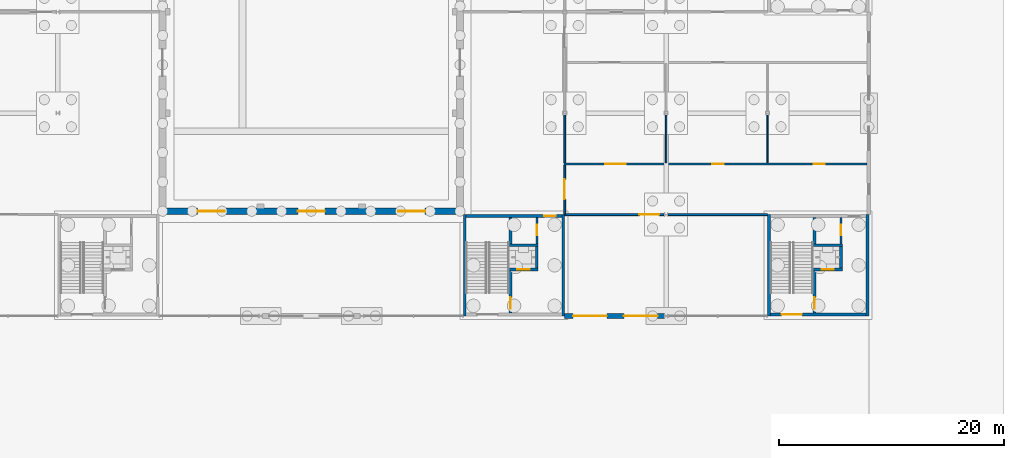
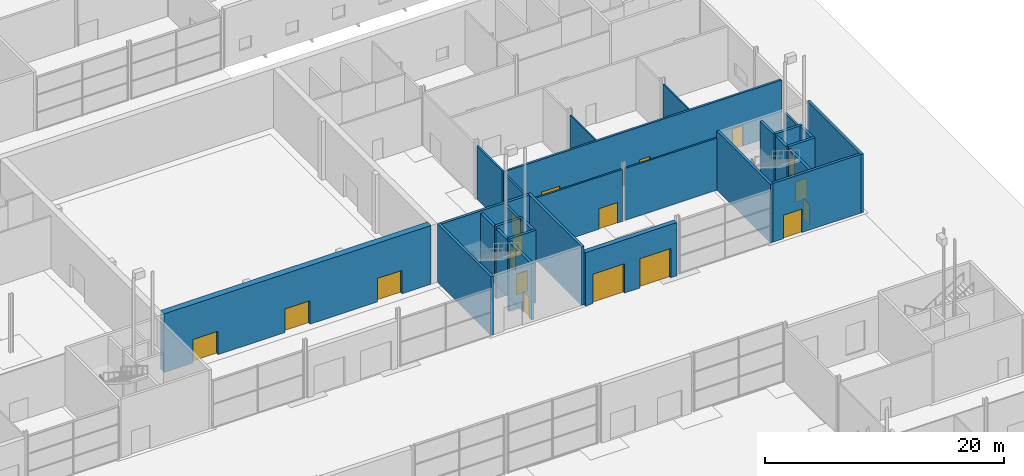
# One storey, part 76 of 97: 25 walls, 18 doors, 18 openings.
"""IFC4 building model written with IfcOpenShell, lengths in metres."""

from ifc_helpers import new_model, si_unit, direction, frame, frame_2d, origin, place, context, subcontext, project, spatial, rectangle, extrude, material, layer, layer_set, type_object, element, fill, save


model = new_model("IFC4")

# Units and contexts
model_context = context("Model", 3, precision=1e-05, world=origin(), true_north=direction((0.0, 1.0)))
body_context = subcontext(model_context, "Body", "Model", "MODEL_VIEW")
ifc_project = project(units=[si_unit("LENGTHUNIT", "METRE"), si_unit("AREAUNIT", "SQUARE_METRE"), si_unit("VOLUMEUNIT", "CUBIC_METRE"), si_unit("PLANEANGLEUNIT", "RADIAN"), si_unit("MASSUNIT", "GRAM", prefix="KILO")], contexts=[model_context])

# Site, building, storey
site_placement = place(None, origin())
site = spatial("IfcSite", under=ifc_project, at=site_placement, CompositionType="ELEMENT")
building_placement = place(site_placement, origin())
building = spatial("IfcBuilding", under=site, at=building_placement, Name="Corbel Yard City Hall", CompositionType="ELEMENT")
storey_placement = place(building_placement, origin())
storey = spatial("IfcBuildingStorey", under=building, at=storey_placement, Name="L00", CompositionType="ELEMENT", Elevation=0.0)

# Wall, openings, doors
ifc_material_1 = material(Name="Concrete N50 (50 MPa)", Category="concrete")
ifc_layer_1 = layer(ifc_material_1, 0.60009765625)
ifc_layer_set_1 = layer_set([ifc_layer_1], Name="Concrete N50 (50 MPa)")
wall_type_1 = type_object("IfcWallType", Name="Chamber wall 600", PredefinedType="SHEAR", material=ifc_layer_set_1)
wall_1_placement = place(storey_placement, frame((117.60009765625, 54.300048828125, 0.0), z_axis=(0.0, 0.0, 1.0), x_axis=(1.0, 0.0, 0.0)))
wall_1 = element("IfcWall", 1, at=wall_1_placement, inside=storey, type_object=wall_type_1, Name="Chamber south wall", PredefinedType="SHEAR", context=body_context, shape_type="SweptSolid", body=[
    extrude(rectangle(XDim=25.7998046875, YDim=0.60009765625, at=frame_2d((12.89990234375, 0.0))), origin(), (0.0, 0.0, 1.0), 6.0),
])
opening_1_placement = place(wall_1_placement, frame((2.800048828125, 0.0, 0.0)))
opening_1 = element("IfcOpeningElement", 2, at=opening_1_placement, cuts=wall_1, Name="Opening L00-162", PredefinedType="OPENING", context=body_context, shape_type="SweptSolid", body=[
    extrude(rectangle(XDim=2.39990234375, YDim=2.39990234375, at=frame_2d((1.199951171875, 1.199951171875))), frame((0.0, 0.31005859375, 0.0), z_axis=(0.0, -1.0, 0.0), x_axis=(1.0, 0.0, 0.0)), (0.0, 0.0, 1.0), 0.6201171875),
])
opening_2_placement = place(wall_1_placement, frame((11.699951171875, 0.0, 0.0)))
opening_2 = element("IfcOpeningElement", 3, at=opening_2_placement, cuts=wall_1, Name="Opening L00-163", PredefinedType="OPENING", context=body_context, shape_type="SweptSolid", body=[
    extrude(rectangle(XDim=2.39990234375, YDim=2.39990234375, at=frame_2d((1.199951171875, 1.199951171875))), frame((0.0, 0.31005859375, 0.0), z_axis=(0.0, -1.0, 0.0), x_axis=(1.0, 0.0, 0.0)), (0.0, 0.0, 1.0), 0.6201171875),
])
opening_3_placement = place(wall_1_placement, frame((20.60009765625, 0.0, 0.0)))
opening_3 = element("IfcOpeningElement", 4, at=opening_3_placement, cuts=wall_1, Name="Opening L00-164", PredefinedType="OPENING", context=body_context, shape_type="SweptSolid", body=[
    extrude(rectangle(XDim=2.39990234375, YDim=2.39990234375, at=frame_2d((1.199951171875, 1.199951171875))), frame((0.0, 0.31005859375, 0.0), z_axis=(0.0, -1.0, 0.0), x_axis=(1.0, 0.0, 0.0)), (0.0, 0.0, 1.0), 0.6201171875),
])
ifc_material_2 = material(Name="Steel Grade G250", Category="steel")
door_type_1 = type_object("IfcDoorType", Name="FS9", OperationType="DOUBLE_DOOR_SINGLE_SWING", PredefinedType="DOOR", material=ifc_material_2)
door_1_placement = place(opening_1_placement, origin())
door_1 = element("IfcDoor", 5, at=door_1_placement, inside=storey, type_object=door_type_1, Name="Door Chamber Entrance Lobby", OperationType="DOUBLE_DOOR_SINGLE_SWING", OverallHeight=2.39990234375, OverallWidth=2.39990234375, PredefinedType="DOOR", context=body_context, shape_type="SweptSolid", body=[
    extrude(rectangle(XDim=2.39990234375, YDim=2.39990234375, at=frame_2d((1.199951171875, 1.199951171875))), frame((0.0, 0.02490234375, 0.0), z_axis=(0.0, -1.0, 0.0), x_axis=(1.0, 0.0, 0.0)), (0.0, 0.0, 1.0), 0.050048828125),
])
fill(opening_1, door_1)
door_2_placement = place(opening_2_placement, origin())
door_2 = element("IfcDoor", 6, at=door_2_placement, inside=storey, type_object=door_type_1, Name="Door Chamber Entrance Lobby", OperationType="DOUBLE_DOOR_SINGLE_SWING", OverallHeight=2.39990234375, OverallWidth=2.39990234375, PredefinedType="DOOR", context=body_context, shape_type="SweptSolid", body=[
    extrude(rectangle(XDim=2.39990234375, YDim=2.39990234375, at=frame_2d((1.199951171875, 1.199951171875))), frame((0.0, 0.02490234375, 0.0), z_axis=(0.0, -1.0, 0.0), x_axis=(1.0, 0.0, 0.0)), (0.0, 0.0, 1.0), 0.050048828125),
])
fill(opening_2, door_2)
door_3_placement = place(opening_3_placement, origin())
door_3 = element("IfcDoor", 7, at=door_3_placement, inside=storey, type_object=door_type_1, Name="Door Chamber Entrance Lobby", OperationType="DOUBLE_DOOR_SINGLE_SWING", OverallHeight=2.39990234375, OverallWidth=2.39990234375, PredefinedType="DOOR", context=body_context, shape_type="SweptSolid", body=[
    extrude(rectangle(XDim=2.39990234375, YDim=2.39990234375, at=frame_2d((1.199951171875, 1.199951171875))), frame((0.0, 0.02490234375, 0.0), z_axis=(0.0, -1.0, 0.0), x_axis=(1.0, 0.0, 0.0)), (0.0, 0.0, 1.0), 0.050048828125),
])
fill(opening_3, door_3)

# Walls
ifc_layer_2 = layer(ifc_material_1, 0.25)
ifc_layer_set_2 = layer_set([ifc_layer_2], Name="Concrete N50 (50 MPa)")
wall_type_2 = type_object("IfcWallType", Name="Core cell wall 250", PredefinedType="SHEAR", material=ifc_layer_set_2)
for number, where, z_axis, x_axis, name in (
    (8, (144.125, 45.0, 0.0), (0.0, 0.0, 1.0), (0.0, 1.0, 0.0), "Core PC-M4 west wall"),
    (9, (152.875, 45.0, 0.0), (0.0, 0.0, 1.0), (0.0, 1.0, 0.0), "Core PC-M4 east wall"),
):
    element("IfcWall", number, at=place(storey_placement, frame(where, z_axis=z_axis, x_axis=x_axis)), inside=storey, type_object=wall_type_2, Name=name, PredefinedType="SHEAR", context=body_context, shape_type="SweptSolid", body=[
        extrude(rectangle(XDim=9.0, YDim=0.25, at=frame_2d((4.5, 0.0))), origin(), (0.0, 0.0, 1.0), 6.0),
    ])

# Wall, opening, door
wall_2_placement = place(storey_placement, frame((144.25, 53.875, 0.0), z_axis=(0.0, 0.0, 1.0), x_axis=(1.0, 0.0, 0.0)))
wall_2 = element("IfcWall", 10, at=wall_2_placement, inside=storey, type_object=wall_type_2, Name="Core PC-M4 north wall", PredefinedType="SHEAR", context=body_context, shape_type="SweptSolid", body=[
    extrude(rectangle(XDim=8.5, YDim=0.25, at=frame_2d((4.25, 0.0))), origin(), (0.0, 0.0, 1.0), 6.0),
])
opening_4_placement = place(wall_2_placement, frame((6.949951171875, 0.0, 0.0)))
opening_4 = element("IfcOpeningElement", 11, at=opening_4_placement, cuts=wall_2, Name="Opening L00-156", PredefinedType="OPENING", context=body_context, shape_type="SweptSolid", body=[
    extrude(rectangle(XDim=1.0, YDim=2.10009765625, at=frame_2d((0.5, 1.050048828125))), frame((0.0, 0.135009765625, 0.0), z_axis=(0.0, -1.0, 0.0), x_axis=(1.0, 0.0, 0.0)), (0.0, 0.0, 1.0), 0.27001953125),
])
door_type_2 = type_object("IfcDoorType", Name="FS1", OperationType="SINGLE_SWING_LEFT", PredefinedType="DOOR", material=ifc_material_2)
door_4_placement = place(opening_4_placement, frame((1.0, 0.0, 0.0), z_axis=(0.0, 0.0, 1.0), x_axis=(-1.0, 0.0, 0.0)))
door_4 = element("IfcDoor", 12, at=door_4_placement, inside=storey, type_object=door_type_2, Name="Door Lift Lobby", OperationType="SINGLE_SWING_RIGHT", OverallHeight=2.10009765625, OverallWidth=1.0, PredefinedType="DOOR", context=body_context, shape_type="SweptSolid", body=[
    extrude(rectangle(XDim=1.0, YDim=2.10009765625, at=frame_2d((0.5, 1.050048828125))), frame((0.0, 0.02490234375, 0.0), z_axis=(0.0, -1.0, 0.0), x_axis=(1.0, 0.0, 0.0)), (0.0, 0.0, 1.0), 0.050048828125),
])
fill(opening_4, door_4)

# Walls
for number, where, z_axis, x_axis, name in (
    (13, (171.125, 45.0, 0.0), (0.0, 0.0, 1.0), (0.0, 1.0, 0.0), "Core PC-M5 west wall"),
    (14, (179.875, 45.0, 0.0), (0.0, 0.0, 1.0), (0.0, 1.0, 0.0), "Core PC-M5 east wall"),
):
    element("IfcWall", number, at=place(storey_placement, frame(where, z_axis=z_axis, x_axis=x_axis)), inside=storey, type_object=wall_type_2, Name=name, PredefinedType="SHEAR", context=body_context, shape_type="SweptSolid", body=[
        extrude(rectangle(XDim=9.0, YDim=0.25, at=frame_2d((4.5, 0.0))), origin(), (0.0, 0.0, 1.0), 6.0),
    ])

# Wall, opening, door
wall_3_placement = place(storey_placement, frame((171.25, 45.125, 0.0), z_axis=(0.0, 0.0, 1.0), x_axis=(1.0, 0.0, 0.0)))
wall_3 = element("IfcWall", 15, at=wall_3_placement, inside=storey, type_object=wall_type_2, Name="Core PC-M5 south wall", PredefinedType="SHEAR", context=body_context, shape_type="SweptSolid", body=[
    extrude(rectangle(XDim=8.5, YDim=0.25, at=frame_2d((4.25, 0.0))), origin(), (0.0, 0.0, 1.0), 6.0),
])
opening_5_placement = place(wall_3_placement, frame((1.0, 0.0, 0.0)))
opening_5 = element("IfcOpeningElement", 16, at=opening_5_placement, cuts=wall_3, Name="Opening L00-043", PredefinedType="OPENING", context=body_context, shape_type="SweptSolid", body=[
    extrude(rectangle(XDim=1.800048828125, YDim=2.39990234375, at=frame_2d((0.89990234375, 1.199951171875))), frame((0.0, 0.135009765625, 0.0), z_axis=(0.0, -1.0, 0.0), x_axis=(1.0, 0.0, 0.0)), (0.0, 0.0, 1.0), 0.27001953125),
])
ifc_material_3 = material(Name="Steel Grade G250, insulated infill", Category="steel")
door_type_3 = type_object("IfcDoorType", Name="XD2", OperationType="DOUBLE_DOOR_SINGLE_SWING", PredefinedType="DOOR", material=ifc_material_3)
door_5_placement = place(opening_5_placement, frame((1.800048828125, 0.0, 0.0), z_axis=(0.0, 0.0, 1.0), x_axis=(-1.0, 0.0, 0.0)))
door_5 = element("IfcDoor", 17, at=door_5_placement, inside=storey, type_object=door_type_3, Name="Stair exit door PC-M5", OperationType="DOUBLE_DOOR_SINGLE_SWING", OverallHeight=2.39990234375, OverallWidth=1.800048828125, PredefinedType="DOOR", context=body_context, shape_type="SweptSolid", body=[
    extrude(rectangle(XDim=1.800048828125, YDim=2.39990234375, at=frame_2d((0.89990234375, 1.199951171875))), frame((0.0, 0.02490234375, 0.0), z_axis=(0.0, -1.0, 0.0), x_axis=(1.0, 0.0, 0.0)), (0.0, 0.0, 1.0), 0.050048828125),
])
fill(opening_5, door_5)

# Wall, openings, doors
ifc_material_4 = material(Name="Sandstone cladding", Category="masonry")
ifc_layer_3 = layer(ifc_material_4, 0.06005859375)
ifc_material_5 = material(Name="Air cavity", Category="air")
ifc_layer_4 = layer(ifc_material_5, 0.0400390625)
ifc_material_6 = material(Name="Concrete N40 (40 MPa)", Category="concrete")
ifc_layer_5 = layer(ifc_material_6, 0.25)
ifc_material_7 = material(Name="Mineral wool", Category="insulation")
ifc_layer_6 = layer(ifc_material_7, 0.10009765625)
ifc_layer_set_3 = layer_set([ifc_layer_3, ifc_layer_4, ifc_layer_5, ifc_layer_6], Name="Concrete N40 (40 MPa)")
wall_type_3 = type_object("IfcWallType", Name="EW2", PredefinedType="SOLIDWALL", material=ifc_layer_set_3)
wall_4_placement = place(storey_placement, frame((153.0, 45.0, 0.0), z_axis=(0.0, 0.0, 1.0), x_axis=(1.0, 0.0, 0.0)))
wall_4 = element("IfcWall", 18, at=wall_4_placement, inside=storey, type_object=wall_type_3, Name="Entrance pier wall", PredefinedType="SOLIDWALL", context=body_context, shape_type="SweptSolid", body=[
    extrude(rectangle(XDim=8.842529296875, YDim=0.449951171875, at=frame_2d((4.42138671875, 0.0))), origin(), (0.0, 0.0, 1.0), 5.444091796875),
])
opening_6_placement = place(wall_4_placement, frame((0.75, 0.0, 0.0)))
opening_6 = element("IfcOpeningElement", 19, at=opening_6_placement, cuts=wall_4, Name="Opening L00-017", PredefinedType="OPENING", context=body_context, shape_type="SweptSolid", body=[
    extrude(rectangle(XDim=3.0, YDim=3.0, at=frame_2d((1.5, 1.5))), frame((0.0, 0.23486328125, 0.0), z_axis=(0.0, -1.0, 0.0), x_axis=(1.0, 0.0, 0.0)), (0.0, 0.0, 1.0), 0.469970703125),
])
opening_7_placement = place(wall_4_placement, frame((5.25, 0.0, 0.0)))
opening_7 = element("IfcOpeningElement", 20, at=opening_7_placement, cuts=wall_4, Name="Opening L00-018", PredefinedType="OPENING", context=body_context, shape_type="SweptSolid", body=[
    extrude(rectangle(XDim=3.0, YDim=3.0, at=frame_2d((1.5, 1.5))), frame((0.0, 0.23486328125, 0.0), z_axis=(0.0, -1.0, 0.0), x_axis=(1.0, 0.0, 0.0)), (0.0, 0.0, 1.0), 0.469970703125),
])
ifc_material_8 = material(Name="Aluminium frame, toughened laminated glass", Category="aluminium")
door_type_4 = type_object("IfcDoorType", Name="XD7", OperationType="DOUBLE_DOOR_SINGLE_SWING", PredefinedType="DOOR", material=ifc_material_8)
door_6_placement = place(opening_6_placement, frame((3.0, 0.0, 0.0), z_axis=(0.0, 0.0, 1.0), x_axis=(-1.0, 0.0, 0.0)))
door_6 = element("IfcDoor", 21, at=door_6_placement, inside=storey, type_object=door_type_4, Name="Members' entrance door 1", OperationType="DOUBLE_DOOR_SINGLE_SWING", OverallHeight=3.0, OverallWidth=3.0, PredefinedType="DOOR", context=body_context, shape_type="SweptSolid", body=[
    extrude(rectangle(XDim=3.0, YDim=3.0, at=frame_2d((1.5, 1.5))), frame((0.0, 0.02490234375, 0.0), z_axis=(0.0, -1.0, 0.0), x_axis=(1.0, 0.0, 0.0)), (0.0, 0.0, 1.0), 0.050048828125),
])
fill(opening_6, door_6)
door_7_placement = place(opening_7_placement, frame((3.0, 0.0, 0.0), z_axis=(0.0, 0.0, 1.0), x_axis=(-1.0, 0.0, 0.0)))
door_7 = element("IfcDoor", 22, at=door_7_placement, inside=storey, type_object=door_type_4, Name="Members' entrance door 2", OperationType="DOUBLE_DOOR_SINGLE_SWING", OverallHeight=3.0, OverallWidth=3.0, PredefinedType="DOOR", context=body_context, shape_type="SweptSolid", body=[
    extrude(rectangle(XDim=3.0, YDim=3.0, at=frame_2d((1.5, 1.5))), frame((0.0, 0.02490234375, 0.0), z_axis=(0.0, -1.0, 0.0), x_axis=(1.0, 0.0, 0.0)), (0.0, 0.0, 1.0), 0.050048828125),
])
fill(opening_7, door_7)

# Wall, opening, door
ifc_layer_7 = layer(ifc_material_6, 0.25)
ifc_layer_set_4 = layer_set([ifc_layer_7], Name="Concrete N40 (40 MPa)")
wall_type_4 = type_object("IfcWallType", Name="IW2", PredefinedType="SOLIDWALL", material=ifc_layer_set_4)
wall_5_placement = place(storey_placement, frame((148.175048828125, 45.25, 0.0), z_axis=(0.0, 0.0, 1.0), x_axis=(0.0, 1.0, 0.0)))
wall_5 = element("IfcWall", 23, at=wall_5_placement, inside=storey, type_object=wall_type_4, Name="Stair enclosure wall", PredefinedType="SOLIDWALL", context=body_context, shape_type="SweptSolid", body=[
    extrude(rectangle(XDim=8.5, YDim=0.25, at=frame_2d((4.25, 0.0))), origin(), (0.0, 0.0, 1.0), 5.75),
])
opening_8_placement = place(wall_5_placement, frame((0.39990234375, 0.0, 0.0)))
opening_8 = element("IfcOpeningElement", 24, at=opening_8_placement, cuts=wall_5, Name="Opening L00-155", PredefinedType="OPENING", context=body_context, shape_type="SweptSolid", body=[
    extrude(rectangle(XDim=1.0, YDim=2.10009765625, at=frame_2d((0.5, 1.050048828125))), frame((0.0, 0.135009765625, 0.0), z_axis=(0.0, -1.0, 0.0), x_axis=(1.0, 0.0, 0.0)), (0.0, 0.0, 1.0), 0.27001953125),
])
door_8_placement = place(opening_8_placement, origin())
door_8 = element("IfcDoor", 25, at=door_8_placement, inside=storey, type_object=door_type_2, Name="Door Exit Stair 11", OperationType="SINGLE_SWING_LEFT", OverallHeight=2.10009765625, OverallWidth=1.0, PredefinedType="DOOR", context=body_context, shape_type="SweptSolid", body=[
    extrude(rectangle(XDim=1.0, YDim=2.10009765625, at=frame_2d((0.5, 1.050048828125))), frame((0.0, 0.02490234375, 0.0), z_axis=(0.0, -1.0, 0.0), x_axis=(1.0, 0.0, 0.0)), (0.0, 0.0, 1.0), 0.050048828125),
])
fill(opening_8, door_8)

wall_6_placement = place(storey_placement, frame((148.050048828125, 49.125, -1.39990234375), z_axis=(0.0, 0.0, 1.0), x_axis=(1.0, 0.0, 0.0)))
wall_6 = element("IfcWall", 26, at=wall_6_placement, inside=storey, type_object=wall_type_4, Name="Lift LP11 shaft wall", PredefinedType="SOLIDWALL", context=body_context, shape_type="SweptSolid", body=[
    extrude(rectangle(XDim=2.599853515625, YDim=0.25, at=frame_2d((1.2998046875, 0.0))), origin(), (0.0, 0.0, 1.0), 7.39990234375),
])
opening_9_placement = place(wall_6_placement, frame((0.75, 0.0, 1.39990234375)))
opening_9 = element("IfcOpeningElement", 27, at=opening_9_placement, cuts=wall_6, Name="Opening L00-110", PredefinedType="OPENING", context=body_context, shape_type="SweptSolid", body=[
    extrude(rectangle(XDim=1.10009765625, YDim=2.10009765625, at=frame_2d((0.550048828125, 1.050048828125))), frame((0.0, 0.135009765625, 0.0), z_axis=(0.0, -1.0, 0.0), x_axis=(1.0, 0.0, 0.0)), (0.0, 0.0, 1.0), 0.27001953125),
])
ifc_material_9 = material(Name="Stainless steel Grade 316", Category="steel")
door_type_5 = type_object("IfcDoorType", Name="LD1", OperationType="DOUBLE_DOOR_SLIDING", PredefinedType="DOOR", material=ifc_material_9)
door_9_placement = place(opening_9_placement, origin())
door_9 = element("IfcDoor", 28, at=door_9_placement, inside=storey, type_object=door_type_5, Name="Lift LP11 landing door", OperationType="DOUBLE_DOOR_SLIDING", OverallHeight=2.10009765625, OverallWidth=1.10009765625, PredefinedType="DOOR", context=body_context, shape_type="SweptSolid", body=[
    extrude(rectangle(XDim=1.10009765625, YDim=2.10009765625, at=frame_2d((0.550048828125, 1.050048828125))), frame((0.0, 0.02490234375, 0.0), z_axis=(0.0, -1.0, 0.0), x_axis=(1.0, 0.0, 0.0)), (0.0, 0.0, 1.0), 0.050048828125),
])
fill(opening_9, door_9)

# Walls
wall_7_placement = place(storey_placement, frame((148.050048828125, 51.27490234375, -1.39990234375), z_axis=(0.0, 0.0, 1.0), x_axis=(1.0, 0.0, 0.0)))
element("IfcWall", 29, at=wall_7_placement, inside=storey, type_object=wall_type_4, Name="Lift LP11 shaft wall", PredefinedType="SOLIDWALL", context=body_context, shape_type="SweptSolid", body=[
    extrude(rectangle(XDim=2.599853515625, YDim=0.25, at=frame_2d((1.2998046875, 0.0))), origin(), (0.0, 0.0, 1.0), 7.39990234375),
])
wall_8_placement = place(storey_placement, frame((150.52490234375, 49.25, -1.39990234375), z_axis=(0.0, 0.0, 1.0), x_axis=(0.0, 1.0, 0.0)))
element("IfcWall", 30, at=wall_8_placement, inside=storey, type_object=wall_type_4, Name="Lift LP11 shaft wall", PredefinedType="SOLIDWALL", context=body_context, shape_type="SweptSolid", body=[
    extrude(rectangle(XDim=1.89990234375, YDim=0.25, at=frame_2d((0.949951171875, 0.0))), origin(), (0.0, 0.0, 1.0), 7.39990234375),
])

# Wall, opening, door
wall_9_placement = place(storey_placement, frame((175.175048828125, 45.25, 0.0), z_axis=(0.0, 0.0, 1.0), x_axis=(0.0, 1.0, 0.0)))
wall_9 = element("IfcWall", 31, at=wall_9_placement, inside=storey, type_object=wall_type_4, Name="Stair enclosure wall", PredefinedType="SOLIDWALL", context=body_context, shape_type="SweptSolid", body=[
    extrude(rectangle(XDim=8.5, YDim=0.25, at=frame_2d((4.25, 0.0))), origin(), (0.0, 0.0, 1.0), 5.75),
])
opening_10_placement = place(wall_9_placement, frame((0.39990234375, 0.0, 0.0)))
opening_10 = element("IfcOpeningElement", 32, at=opening_10_placement, cuts=wall_9, Name="Opening L00-167", PredefinedType="OPENING", context=body_context, shape_type="SweptSolid", body=[
    extrude(rectangle(XDim=1.0, YDim=2.10009765625, at=frame_2d((0.5, 1.050048828125))), frame((0.0, 0.135009765625, 0.0), z_axis=(0.0, -1.0, 0.0), x_axis=(1.0, 0.0, 0.0)), (0.0, 0.0, 1.0), 0.27001953125),
])
door_10_placement = place(opening_10_placement, origin())
door_10 = element("IfcDoor", 33, at=door_10_placement, inside=storey, type_object=door_type_2, Name="Door Exit Stair 12", OperationType="SINGLE_SWING_LEFT", OverallHeight=2.10009765625, OverallWidth=1.0, PredefinedType="DOOR", context=body_context, shape_type="SweptSolid", body=[
    extrude(rectangle(XDim=1.0, YDim=2.10009765625, at=frame_2d((0.5, 1.050048828125))), frame((0.0, 0.02490234375, 0.0), z_axis=(0.0, -1.0, 0.0), x_axis=(1.0, 0.0, 0.0)), (0.0, 0.0, 1.0), 0.050048828125),
])
fill(opening_10, door_10)

wall_10_placement = place(storey_placement, frame((175.050048828125, 49.125, -1.39990234375), z_axis=(0.0, 0.0, 1.0), x_axis=(1.0, 0.0, 0.0)))
wall_10 = element("IfcWall", 34, at=wall_10_placement, inside=storey, type_object=wall_type_4, Name="Lift LP12 shaft wall", PredefinedType="SOLIDWALL", context=body_context, shape_type="SweptSolid", body=[
    extrude(rectangle(XDim=2.599853515625, YDim=0.25, at=frame_2d((1.2998046875, 0.0))), origin(), (0.0, 0.0, 1.0), 7.39990234375),
])
opening_11_placement = place(wall_10_placement, frame((0.75, 0.0, 1.39990234375)))
opening_11 = element("IfcOpeningElement", 35, at=opening_11_placement, cuts=wall_10, Name="Opening L00-111", PredefinedType="OPENING", context=body_context, shape_type="SweptSolid", body=[
    extrude(rectangle(XDim=1.10009765625, YDim=2.10009765625, at=frame_2d((0.550048828125, 1.050048828125))), frame((0.0, 0.135009765625, 0.0), z_axis=(0.0, -1.0, 0.0), x_axis=(1.0, 0.0, 0.0)), (0.0, 0.0, 1.0), 0.27001953125),
])
door_11_placement = place(opening_11_placement, origin())
door_11 = element("IfcDoor", 36, at=door_11_placement, inside=storey, type_object=door_type_5, Name="Lift LP12 landing door", OperationType="DOUBLE_DOOR_SLIDING", OverallHeight=2.10009765625, OverallWidth=1.10009765625, PredefinedType="DOOR", context=body_context, shape_type="SweptSolid", body=[
    extrude(rectangle(XDim=1.10009765625, YDim=2.10009765625, at=frame_2d((0.550048828125, 1.050048828125))), frame((0.0, 0.02490234375, 0.0), z_axis=(0.0, -1.0, 0.0), x_axis=(1.0, 0.0, 0.0)), (0.0, 0.0, 1.0), 0.050048828125),
])
fill(opening_11, door_11)

# Walls
wall_11_placement = place(storey_placement, frame((175.050048828125, 51.27490234375, -1.39990234375), z_axis=(0.0, 0.0, 1.0), x_axis=(1.0, 0.0, 0.0)))
element("IfcWall", 37, at=wall_11_placement, inside=storey, type_object=wall_type_4, Name="Lift LP12 shaft wall", PredefinedType="SOLIDWALL", context=body_context, shape_type="SweptSolid", body=[
    extrude(rectangle(XDim=2.599853515625, YDim=0.25, at=frame_2d((1.2998046875, 0.0))), origin(), (0.0, 0.0, 1.0), 7.39990234375),
])
wall_12_placement = place(storey_placement, frame((177.52490234375, 49.25, -1.39990234375), z_axis=(0.0, 0.0, 1.0), x_axis=(0.0, 1.0, 0.0)))
element("IfcWall", 38, at=wall_12_placement, inside=storey, type_object=wall_type_4, Name="Lift LP12 shaft wall", PredefinedType="SOLIDWALL", context=body_context, shape_type="SweptSolid", body=[
    extrude(rectangle(XDim=1.89990234375, YDim=0.25, at=frame_2d((0.949951171875, 0.0))), origin(), (0.0, 0.0, 1.0), 7.39990234375),
])
ifc_material_10 = material(Name="Gypsum plasterboard", Category="gypsum")
ifc_layer_8 = layer(ifc_material_10, 0.028076171875)
ifc_material_11 = material(Name="Steel Grade G550 (550 MPa yield)", Category="steel")
ifc_layer_9 = layer(ifc_material_11, 0.06396484375)
ifc_layer_10 = layer(ifc_material_10, 0.028076171875)
ifc_layer_set_5 = layer_set([ifc_layer_8, ifc_layer_9, ifc_layer_10], Name="Steel Grade G550 (550 MPa yield)")
wall_type_5 = type_object("IfcWallType", Name="PT1", PredefinedType="PARTITIONING", material=ifc_layer_set_5)
for number, where, z_axis, x_axis, name in (
    (39, (162.0, 58.60009765625, 0.0), (0.0, 0.0, 1.0), (0.0, 1.0, 0.0), "Partition"),
    (40, (171.0, 58.60009765625, 0.0), (0.0, 0.0, 1.0), (0.0, 1.0, 0.0), "Partition"),
):
    element("IfcWall", number, at=place(storey_placement, frame(where, z_axis=z_axis, x_axis=x_axis)), inside=storey, type_object=wall_type_5, Name=name, PredefinedType="PARTITIONING", context=body_context, shape_type="SweptSolid", body=[
        extrude(rectangle(XDim=4.236328125, YDim=0.1201171875, at=frame_2d((2.1181640625, 0.0))), origin(), (0.0, 0.0, 1.0), 5.447021484375),
    ])

# Wall, openings, doors
ifc_layer_11 = layer(ifc_material_10, 0.031982421875)
ifc_layer_12 = layer(ifc_material_11, 0.135986328125)
ifc_layer_13 = layer(ifc_material_10, 0.031982421875)
ifc_layer_set_6 = layer_set([ifc_layer_11, ifc_layer_12, ifc_layer_13], Name="Steel Grade G550 (550 MPa yield)")
wall_type_6 = type_object("IfcWallType", Name="PT2", PredefinedType="PARTITIONING", material=ifc_layer_set_6)
wall_13_placement = place(storey_placement, frame((152.919921875, 58.5, 0.0), z_axis=(0.0, 0.0, 1.0), x_axis=(1.0, 0.0, 0.0)))
wall_13 = element("IfcWall", 41, at=wall_13_placement, inside=storey, type_object=wall_type_6, Name="Acoustic wall", PredefinedType="PARTITIONING", context=body_context, shape_type="SweptSolid", body=[
    extrude(rectangle(XDim=26.93017578125, YDim=0.199951171875, at=frame_2d((13.465087890625, 0.0))), origin(), (0.0, 0.0, 1.0), 5.447021484375),
])
opening_12_placement = place(wall_13_placement, frame((3.679931640625, 0.0, 0.0)))
opening_12 = element("IfcOpeningElement", 42, at=opening_12_placement, cuts=wall_13, Name="Opening L00-176", PredefinedType="OPENING", context=body_context, shape_type="SweptSolid", body=[
    extrude(rectangle(XDim=1.800048828125, YDim=2.10009765625, at=frame_2d((0.89990234375, 1.050048828125))), frame((0.0, 0.10986328125, 0.0), z_axis=(0.0, -1.0, 0.0), x_axis=(1.0, 0.0, 0.0)), (0.0, 0.0, 1.0), 0.219970703125),
])
opening_13_placement = place(wall_13_placement, frame((13.179931640625, 0.0, 0.0)))
opening_13 = element("IfcOpeningElement", 43, at=opening_13_placement, cuts=wall_13, Name="Opening L00-178", PredefinedType="OPENING", context=body_context, shape_type="SweptSolid", body=[
    extrude(rectangle(XDim=1.0, YDim=2.10009765625, at=frame_2d((0.5, 1.050048828125))), frame((0.0, 0.10986328125, 0.0), z_axis=(0.0, -1.0, 0.0), x_axis=(1.0, 0.0, 0.0)), (0.0, 0.0, 1.0), 0.219970703125),
])
opening_14_placement = place(wall_13_placement, frame((22.179931640625, 0.0, 0.0)))
opening_14 = element("IfcOpeningElement", 44, at=opening_14_placement, cuts=wall_13, Name="Opening L00-180", PredefinedType="OPENING", context=body_context, shape_type="SweptSolid", body=[
    extrude(rectangle(XDim=1.0, YDim=2.10009765625, at=frame_2d((0.5, 1.050048828125))), frame((0.0, 0.10986328125, 0.0), z_axis=(0.0, -1.0, 0.0), x_axis=(1.0, 0.0, 0.0)), (0.0, 0.0, 1.0), 0.219970703125),
])
ifc_material_12 = material(Name="Timber", Category="wood")
door_type_6 = type_object("IfcDoorType", Name="D1", OperationType="SINGLE_SWING_LEFT", PredefinedType="DOOR", material=ifc_material_12)
door_12_placement = place(opening_13_placement, origin())
door_12 = element("IfcDoor", 45, at=door_12_placement, inside=storey, type_object=door_type_6, Name="Door Members' Private Dining Room", OperationType="SINGLE_SWING_RIGHT", OverallHeight=2.10009765625, OverallWidth=1.0, PredefinedType="DOOR", context=body_context, shape_type="SweptSolid", body=[
    extrude(rectangle(XDim=1.0, YDim=2.10009765625, at=frame_2d((0.5, 1.050048828125))), frame((0.0, 0.02490234375, 0.0), z_axis=(0.0, -1.0, 0.0), x_axis=(1.0, 0.0, 0.0)), (0.0, 0.0, 1.0), 0.050048828125),
])
fill(opening_13, door_12)
door_13_placement = place(opening_14_placement, origin())
door_13 = element("IfcDoor", 46, at=door_13_placement, inside=storey, type_object=door_type_6, Name="Door Press Room", OperationType="SINGLE_SWING_RIGHT", OverallHeight=2.10009765625, OverallWidth=1.0, PredefinedType="DOOR", context=body_context, shape_type="SweptSolid", body=[
    extrude(rectangle(XDim=1.0, YDim=2.10009765625, at=frame_2d((0.5, 1.050048828125))), frame((0.0, 0.02490234375, 0.0), z_axis=(0.0, -1.0, 0.0), x_axis=(1.0, 0.0, 0.0)), (0.0, 0.0, 1.0), 0.050048828125),
])
fill(opening_14, door_13)
door_type_7 = type_object("IfcDoorType", Name="D3", OperationType="DOUBLE_DOOR_SINGLE_SWING", PredefinedType="DOOR", material=ifc_material_12)
door_14_placement = place(opening_12_placement, origin())
door_14 = element("IfcDoor", 47, at=door_14_placement, inside=storey, type_object=door_type_7, Name="Door Members' Dining", OperationType="DOUBLE_DOOR_SINGLE_SWING", OverallHeight=2.10009765625, OverallWidth=1.800048828125, PredefinedType="DOOR", context=body_context, shape_type="SweptSolid", body=[
    extrude(rectangle(XDim=1.800048828125, YDim=2.10009765625, at=frame_2d((0.89990234375, 1.050048828125))), frame((0.0, 0.02490234375, 0.0), z_axis=(0.0, -1.0, 0.0), x_axis=(1.0, 0.0, 0.0)), (0.0, 0.0, 1.0), 0.050048828125),
])
fill(opening_12, door_14)

# Wall, opening, door
ifc_layer_14 = layer(ifc_material_10, 0.031982421875)
ifc_layer_15 = layer(ifc_material_11, 0.095947265625)
ifc_layer_16 = layer(ifc_material_10, 0.031982421875)
ifc_layer_set_7 = layer_set([ifc_layer_14, ifc_layer_15, ifc_layer_16], Name="Steel Grade G550 (550 MPa yield)")
wall_type_7 = type_object("IfcWallType", Name="PT3", PredefinedType="PARTITIONING", material=ifc_layer_set_7)
wall_14_placement = place(storey_placement, frame((153.0, 54.0, 0.0), z_axis=(0.0, 0.0, 1.0), x_axis=(1.0, 0.0, 0.0)))
wall_14 = element("IfcWall", 48, at=wall_14_placement, inside=storey, type_object=wall_type_7, Name="Fire-resisting wall", PredefinedType="PARTITIONING", context=body_context, shape_type="SweptSolid", body=[
    extrude(rectangle(XDim=8.83642578125, YDim=0.159912109375, at=frame_2d((4.418212890625, 0.0))), origin(), (0.0, 0.0, 1.0), 5.322021484375),
])
opening_15_placement = place(wall_14_placement, frame((6.60009765625, 0.0, 0.0)))
opening_15 = element("IfcOpeningElement", 49, at=opening_15_placement, cuts=wall_14, Name="Opening L00-173", PredefinedType="OPENING", context=body_context, shape_type="SweptSolid", body=[
    extrude(rectangle(XDim=1.800048828125, YDim=2.10009765625, at=frame_2d((0.89990234375, 1.050048828125))), frame((0.0, 0.08984375, 0.0), z_axis=(0.0, -1.0, 0.0), x_axis=(1.0, 0.0, 0.0)), (0.0, 0.0, 1.0), 0.179931640625),
])
door_type_8 = type_object("IfcDoorType", Name="FD3", OperationType="DOUBLE_DOOR_SINGLE_SWING", PredefinedType="DOOR", material=ifc_material_2)
door_15_placement = place(opening_15_placement, origin())
door_15 = element("IfcDoor", 50, at=door_15_placement, inside=storey, type_object=door_type_8, Name="Door Members' Entrance Lobby", OperationType="DOUBLE_DOOR_SINGLE_SWING", OverallHeight=2.10009765625, OverallWidth=1.800048828125, PredefinedType="DOOR", context=body_context, shape_type="SweptSolid", body=[
    extrude(rectangle(XDim=1.800048828125, YDim=2.10009765625, at=frame_2d((0.89990234375, 1.050048828125))), frame((0.0, 0.02490234375, 0.0), z_axis=(0.0, -1.0, 0.0), x_axis=(1.0, 0.0, 0.0)), (0.0, 0.0, 1.0), 0.050048828125),
])
fill(opening_15, door_15)

# Wall
wall_15_placement = place(storey_placement, frame((162.16357421875, 54.0, 0.0), z_axis=(0.0, 0.0, 1.0), x_axis=(1.0, 0.0, 0.0)))
element("IfcWall", 51, at=wall_15_placement, inside=storey, type_object=wall_type_7, Name="Fire-resisting wall", PredefinedType="PARTITIONING", context=body_context, shape_type="SweptSolid", body=[
    extrude(rectangle(XDim=8.83642578125, YDim=0.159912109375, at=frame_2d((4.418212890625, 0.0))), origin(), (0.0, 0.0, 1.0), 5.322021484375),
])

# Wall, opening, door
wall_16_placement = place(storey_placement, frame((153.0, 54.0, 0.0), z_axis=(0.0, 0.0, 1.0), x_axis=(0.0, 1.0, 0.0)))
wall_16 = element("IfcWall", 52, at=wall_16_placement, inside=storey, type_object=wall_type_7, Name="Fire-resisting wall", PredefinedType="PARTITIONING", context=body_context, shape_type="SweptSolid", body=[
    extrude(rectangle(XDim=4.39990234375, YDim=0.159912109375, at=frame_2d((2.199951171875, 0.0))), origin(), (0.0, 0.0, 1.0), 5.322021484375),
])
opening_16_placement = place(wall_16_placement, frame((1.35009765625, 0.0, 0.0)))
opening_16 = element("IfcOpeningElement", 53, at=opening_16_placement, cuts=wall_16, Name="Opening L00-174", PredefinedType="OPENING", context=body_context, shape_type="SweptSolid", body=[
    extrude(rectangle(XDim=1.800048828125, YDim=2.10009765625, at=frame_2d((0.89990234375, 1.050048828125))), frame((0.0, 0.08984375, 0.0), z_axis=(0.0, -1.0, 0.0), x_axis=(1.0, 0.0, 0.0)), (0.0, 0.0, 1.0), 0.179931640625),
])
door_16_placement = place(opening_16_placement, origin())
door_16 = element("IfcDoor", 54, at=door_16_placement, inside=storey, type_object=door_type_8, Name="Door Members' Corridor", OperationType="DOUBLE_DOOR_SINGLE_SWING", OverallHeight=2.10009765625, OverallWidth=1.800048828125, PredefinedType="DOOR", context=body_context, shape_type="SweptSolid", body=[
    extrude(rectangle(XDim=1.800048828125, YDim=2.10009765625, at=frame_2d((0.89990234375, 1.050048828125))), frame((0.0, 0.02490234375, 0.0), z_axis=(0.0, -1.0, 0.0), x_axis=(1.0, 0.0, 0.0)), (0.0, 0.0, 1.0), 0.050048828125),
])
fill(opening_16, door_16)

# Wall
wall_17_placement = place(storey_placement, frame((153.0, 58.60009765625, 0.0), z_axis=(0.0, 0.0, 1.0), x_axis=(0.0, 1.0, 0.0)))
element("IfcWall", 55, at=wall_17_placement, inside=storey, type_object=wall_type_7, Name="Fire-resisting wall", PredefinedType="PARTITIONING", context=body_context, shape_type="SweptSolid", body=[
    extrude(rectangle(XDim=4.236328125, YDim=0.159912109375, at=frame_2d((2.1181640625, 0.0))), origin(), (0.0, 0.0, 1.0), 5.447021484375),
])

# Wall, opening, door
ifc_material_13 = material(Name="Concrete block", Category="concrete")
ifc_layer_17 = layer(ifc_material_13, 0.18994140625)
ifc_layer_set_8 = layer_set([ifc_layer_17], Name="Concrete block")
wall_type_8 = type_object("IfcWallType", Name="PT4", PredefinedType="PARTITIONING", material=ifc_layer_set_8)
wall_18_placement = place(storey_placement, frame((150.52490234375, 51.39990234375, 0.0), z_axis=(0.0, 0.0, 1.0), x_axis=(0.0, 1.0, 0.0)))
wall_18 = element("IfcWall", 56, at=wall_18_placement, inside=storey, type_object=wall_type_8, Name="Fire-resisting block wall", PredefinedType="PARTITIONING", context=body_context, shape_type="SweptSolid", body=[
    extrude(rectangle(XDim=2.35009765625, YDim=0.18994140625, at=frame_2d((1.175048828125, 0.0))), origin(), (0.0, 0.0, 1.0), 5.75),
])
opening_17_placement = place(wall_18_placement, frame((0.777587890625, 0.0, 0.0)))
opening_17 = element("IfcOpeningElement", 57, at=opening_17_placement, cuts=wall_18, Name="Opening L00-157", PredefinedType="OPENING", context=body_context, shape_type="SweptSolid", body=[
    extrude(rectangle(XDim=0.919921875, YDim=2.10009765625, at=frame_2d((0.4599609375, 1.050048828125))), frame((0.0, 0.10498046875, 0.0), z_axis=(0.0, -1.0, 0.0), x_axis=(1.0, 0.0, 0.0)), (0.0, 0.0, 1.0), 0.2099609375),
])
door_type_9 = type_object("IfcDoorType", Name="FS5", OperationType="SINGLE_SWING_RIGHT", PredefinedType="DOOR", material=ifc_material_2)
door_17_placement = place(opening_17_placement, origin())
door_17 = element("IfcDoor", 58, at=door_17_placement, inside=storey, type_object=door_type_9, Name="Door Service Riser", OperationType="SINGLE_SWING_RIGHT", OverallHeight=2.10009765625, OverallWidth=0.919921875, PredefinedType="DOOR", context=body_context, shape_type="SweptSolid", body=[
    extrude(rectangle(XDim=0.919921875, YDim=2.10009765625, at=frame_2d((0.4599609375, 1.050048828125))), frame((0.0, 0.02490234375, 0.0), z_axis=(0.0, -1.0, 0.0), x_axis=(1.0, 0.0, 0.0)), (0.0, 0.0, 1.0), 0.050048828125),
])
fill(opening_17, door_17)

wall_19_placement = place(storey_placement, frame((177.52490234375, 51.39990234375, 0.0), z_axis=(0.0, 0.0, 1.0), x_axis=(0.0, 1.0, 0.0)))
wall_19 = element("IfcWall", 59, at=wall_19_placement, inside=storey, type_object=wall_type_8, Name="Fire-resisting block wall", PredefinedType="PARTITIONING", context=body_context, shape_type="SweptSolid", body=[
    extrude(rectangle(XDim=2.35009765625, YDim=0.18994140625, at=frame_2d((1.175048828125, 0.0))), origin(), (0.0, 0.0, 1.0), 5.75),
])
opening_18_placement = place(wall_19_placement, frame((0.777587890625, 0.0, 0.0)))
opening_18 = element("IfcOpeningElement", 60, at=opening_18_placement, cuts=wall_19, Name="Opening L00-169", PredefinedType="OPENING", context=body_context, shape_type="SweptSolid", body=[
    extrude(rectangle(XDim=0.919921875, YDim=2.10009765625, at=frame_2d((0.4599609375, 1.050048828125))), frame((0.0, 0.10498046875, 0.0), z_axis=(0.0, -1.0, 0.0), x_axis=(1.0, 0.0, 0.0)), (0.0, 0.0, 1.0), 0.2099609375),
])
door_18_placement = place(opening_18_placement, origin())
door_18 = element("IfcDoor", 61, at=door_18_placement, inside=storey, type_object=door_type_9, Name="Door Service Riser", OperationType="SINGLE_SWING_RIGHT", OverallHeight=2.10009765625, OverallWidth=0.919921875, PredefinedType="DOOR", context=body_context, shape_type="SweptSolid", body=[
    extrude(rectangle(XDim=0.919921875, YDim=2.10009765625, at=frame_2d((0.4599609375, 1.050048828125))), frame((0.0, 0.02490234375, 0.0), z_axis=(0.0, -1.0, 0.0), x_axis=(1.0, 0.0, 0.0)), (0.0, 0.0, 1.0), 0.050048828125),
])
fill(opening_18, door_18)

save(model, "model.ifc")
